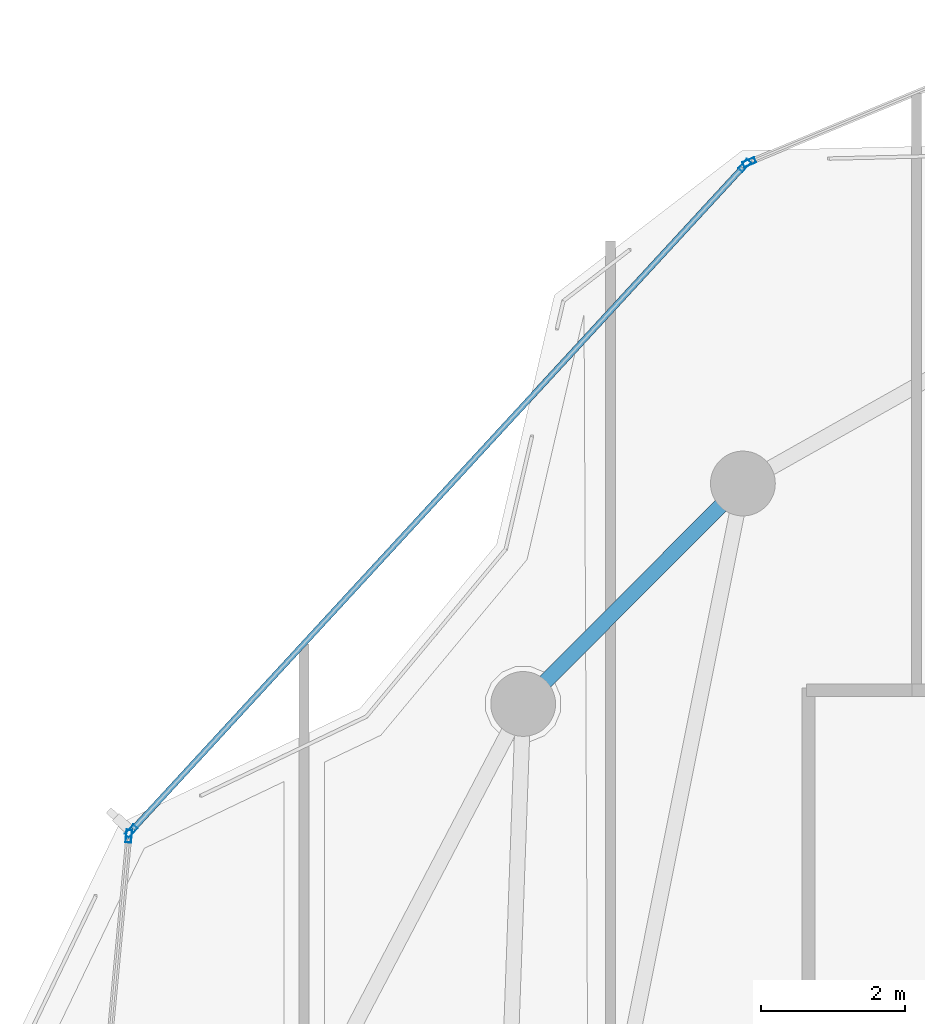
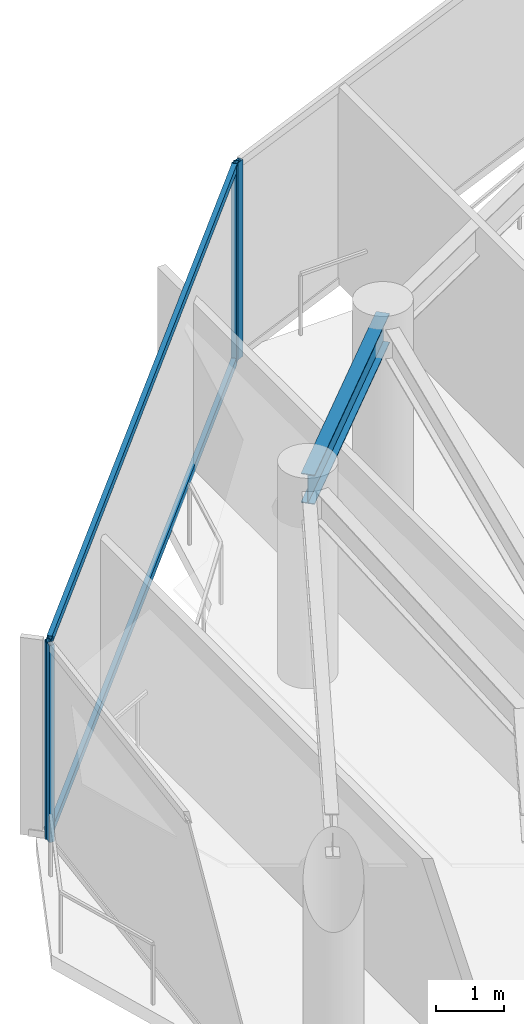
# One storey, part 13 of 22: 6 members, 1 beam, 3 elements without a shape of their own.
"""IFC4 building model written with IfcOpenShell, lengths in metres."""

from ifc_helpers import new_model, si_unit, direction, frame, origin, origin_2d, place, context, subcontext, project, spatial, hollow_rectangle, i_section, extrude, material, layer, layer_set, material_profile, profile_set, type_object, element, aggregate, save


model = new_model("IFC4")

# Units and contexts
model_context = context("Model", 3, precision=1e-05, world=origin(), true_north=direction((0.0, 1.0)))
body_context = subcontext(model_context, "Body", "Model", "MODEL_VIEW")
ifc_project = project(units=[si_unit("LENGTHUNIT", "METRE"), si_unit("AREAUNIT", "SQUARE_METRE"), si_unit("VOLUMEUNIT", "CUBIC_METRE"), si_unit("PLANEANGLEUNIT", "RADIAN"), si_unit("MASSUNIT", "GRAM", prefix="KILO")], contexts=[model_context])

# Site, building, storey
site_placement = place(None, origin())
site = spatial("IfcSite", under=ifc_project, at=site_placement, CompositionType="ELEMENT")
building_placement = place(site_placement, origin())
building = spatial("IfcBuilding", under=site, at=building_placement, Name="Kazevale Care Tower and Concert Hall", CompositionType="ELEMENT")
storey_placement = place(building_placement, frame((0.0, 0.0, 273.800048828125)))
storey = spatial("IfcBuildingStorey", under=building, at=storey_placement, Name="L72", CompositionType="ELEMENT", Elevation=273.800048828125)

# Curtain wall, member
ifc_material_1 = material(Name="Aluminium 6063-T6 and Low-E Glass", Category="aluminium")
ifc_layer = layer(ifc_material_1, 0.179931640625)
ifc_layer_set = layer_set([ifc_layer], Name="Aluminium 6063-T6 and Low-E Glass")
curtain_wall_type = type_object("IfcCurtainWallType", Name="Waist & Upper Residential Curtain Wall CW-4", PredefinedType="NOTDEFINED", material=ifc_layer_set)
curtain_wall_1_placement = place(storey_placement, origin())
curtain_wall_1 = element("IfcCurtainWall", 1, at=curtain_wall_1_placement, inside=storey, type_object=curtain_wall_type, Name="cw:L72:f09", PredefinedType="NOTDEFINED")
ifc_material_2 = material(Name="Aluminium 6063-T6", Category="aluminium")
ifc_material_profile_1 = material_profile(ifc_material_2, hollow_rectangle(XDim=0.080078125, YDim=0.179931640625, WallThickness=0.0048828125, at=origin_2d()), Name="ALU80x180x5")
ifc_profile_set_1 = profile_set([ifc_material_profile_1], Name="Aluminium 6063-T6")
member_type_1 = type_object("IfcMemberType", Name="CW-4 Mullion ALU80x180x5", PredefinedType="MULLION", material=ifc_profile_set_1)
member_1_placement = place(storey_placement, frame((17.066162109375, 49.47509765625, 0.0), z_axis=(0.0, 0.0, 1.0), x_axis=(-0.995549708489, 0.094237879477, 0.0)))
member_1 = element("IfcMember", 2, at=member_1_placement, type_object=member_type_1, Name="CW-4 mullion 2", PredefinedType="MULLION", context=body_context, shape_type="SweptSolid", body=[
    extrude(hollow_rectangle(XDim=0.080078125, YDim=0.179931640625, WallThickness=0.0048828125, at=origin_2d()), origin(), (0.0, 0.0, 1.0), 3.56005859375),
])
aggregate(curtain_wall_1, [member_1])

# Curtain wall, members
curtain_wall_2_placement = place(storey_placement, origin())
curtain_wall_2 = element("IfcCurtainWall", 3, at=curtain_wall_2_placement, inside=storey, type_object=curtain_wall_type, Name="cw:L72:f10", PredefinedType="NOTDEFINED")
member_2_placement = place(storey_placement, frame((17.09716796875, 49.54443359375, 0.0), z_axis=(0.0, 0.0, 1.0), x_axis=(-0.735303453484, 0.677738025563, 0.0)))
member_2 = element("IfcMember", 4, at=member_2_placement, type_object=member_type_1, Name="CW-4 mullion 1", PredefinedType="MULLION", context=body_context, shape_type="SweptSolid", body=[
    extrude(hollow_rectangle(XDim=0.080078125, YDim=0.179931640625, WallThickness=0.0048828125, at=origin_2d()), origin(), (0.0, 0.0, 1.0), 3.56005859375),
])
member_3_placement = place(storey_placement, frame((25.61376953125, 58.78466796875, 0.0), z_axis=(0.0, 0.0, 1.0), x_axis=(-0.735303453484, 0.677738025563, 0.0)))
member_3 = element("IfcMember", 5, at=member_3_placement, type_object=member_type_1, Name="CW-4 mullion 2", PredefinedType="MULLION", context=body_context, shape_type="SweptSolid", body=[
    extrude(hollow_rectangle(XDim=0.080078125, YDim=0.179931640625, WallThickness=0.0048828125, at=origin_2d()), origin(), (0.0, 0.0, 1.0), 3.56005859375),
])

# Curtain wall, member
curtain_wall_3_placement = place(storey_placement, origin())
curtain_wall_3 = element("IfcCurtainWall", 6, at=curtain_wall_3_placement, inside=storey, type_object=curtain_wall_type, Name="cw:L72:f11", PredefinedType="NOTDEFINED")
member_4_placement = place(storey_placement, frame((25.677978515625, 58.829345703125, 0.0), z_axis=(0.0, 0.0, 1.0), x_axis=(-0.384684013802, 0.923048324588, 0.0)))
member_4 = element("IfcMember", 7, at=member_4_placement, type_object=member_type_1, Name="CW-4 mullion 1", PredefinedType="MULLION", context=body_context, shape_type="SweptSolid", body=[
    extrude(hollow_rectangle(XDim=0.080078125, YDim=0.179931640625, WallThickness=0.0048828125, at=origin_2d()), origin(), (0.0, 0.0, 1.0), 3.56005859375),
])
aggregate(curtain_wall_3, [member_4])

# Member
ifc_material_profile_2 = material_profile(ifc_material_2, hollow_rectangle(XDim=0.080078125, YDim=0.139892578125, WallThickness=0.00390625, at=origin_2d()), Name="ALU80x140x4")
ifc_profile_set_2 = profile_set([ifc_material_profile_2], Name="Aluminium 6063-T6")
member_type_2 = type_object("IfcMemberType", Name="CW-4 Transom ALU80x140x4", PredefinedType="USERDEFINED", material=ifc_profile_set_2)
member_5_placement = place(storey_placement, frame((17.124267578125, 49.57373046875, 0.0400390625), z_axis=(0.677729318458, 0.735311478832, 0.0), x_axis=(-0.735311478832, 0.677729318458, 0.0)))
member_5 = element("IfcMember", 8, at=member_5_placement, type_object=member_type_2, Name="CW-4 transom 1.1", ObjectType="TRANSOM", PredefinedType="USERDEFINED", context=body_context, shape_type="SweptSolid", body=[
    extrude(hollow_rectangle(XDim=0.080078125, YDim=0.139892578125, WallThickness=0.00390625, at=origin_2d()), origin(), (0.0, 0.0, 1.0), 12.486328125),
])

member_6_placement = place(storey_placement, frame((17.124267578125, 49.57373046875, 3.52001953125), z_axis=(0.677729318458, 0.735311478832, 0.0), x_axis=(-0.735311478832, 0.677729318458, 0.0)))
member_6 = element("IfcMember", 9, at=member_6_placement, type_object=member_type_2, Name="CW-4 transom 1.2", ObjectType="TRANSOM", PredefinedType="USERDEFINED", context=body_context, shape_type="SweptSolid", body=[
    extrude(hollow_rectangle(XDim=0.080078125, YDim=0.139892578125, WallThickness=0.00390625, at=origin_2d()), origin(), (0.0, 0.0, 1.0), 12.486328125),
])

aggregate(curtain_wall_2, [member_2, member_3, member_5, member_6])

# Beam
ifc_material_3 = material(Name="Steel ASTM A572 Gr 50", Category="steel")
ifc_material_profile_3 = material_profile(ifc_material_3, i_section(OverallWidth=0.208984375, OverallDepth=0.532958984375, WebThickness=0.01025390625, FlangeThickness=0.015625, at=origin_2d()), Name="W530x92")
ifc_profile_set_3 = profile_set([ifc_material_profile_3], Name="Steel ASTM A572 Gr 50")
beam_type = type_object("IfcBeamType", Name="Upper Ring Beam W530x92", PredefinedType="BEAM", material=ifc_profile_set_3)
beam_placement = place(storey_placement, frame((25.590087890625, 54.3701171875, 3.29345703125), z_axis=(-0.705947429832, -0.708264234812, 0.0), x_axis=(0.708264234812, -0.705947429832, 0.0)))
element("IfcBeam", 10, at=beam_placement, inside=storey, type_object=beam_type, Name="beam:L72:ring:07", PredefinedType="BEAM", context=body_context, shape_type="SweptSolid", body=[
    extrude(i_section(OverallWidth=0.208984375, OverallDepth=0.532958984375, WebThickness=0.01025390625, FlangeThickness=0.015625, at=origin_2d()), origin(), (0.0, 0.0, 1.0), 4.320556640625),
])

save(model, "model.ifc")
